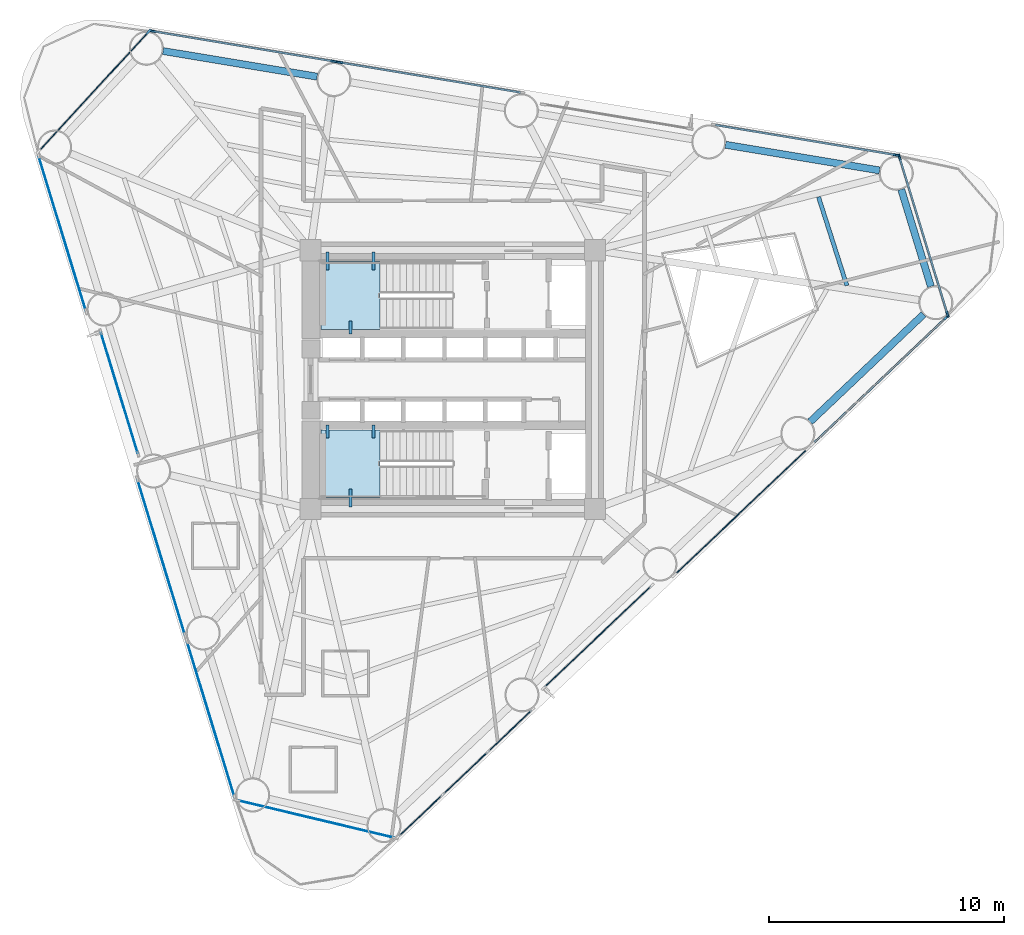
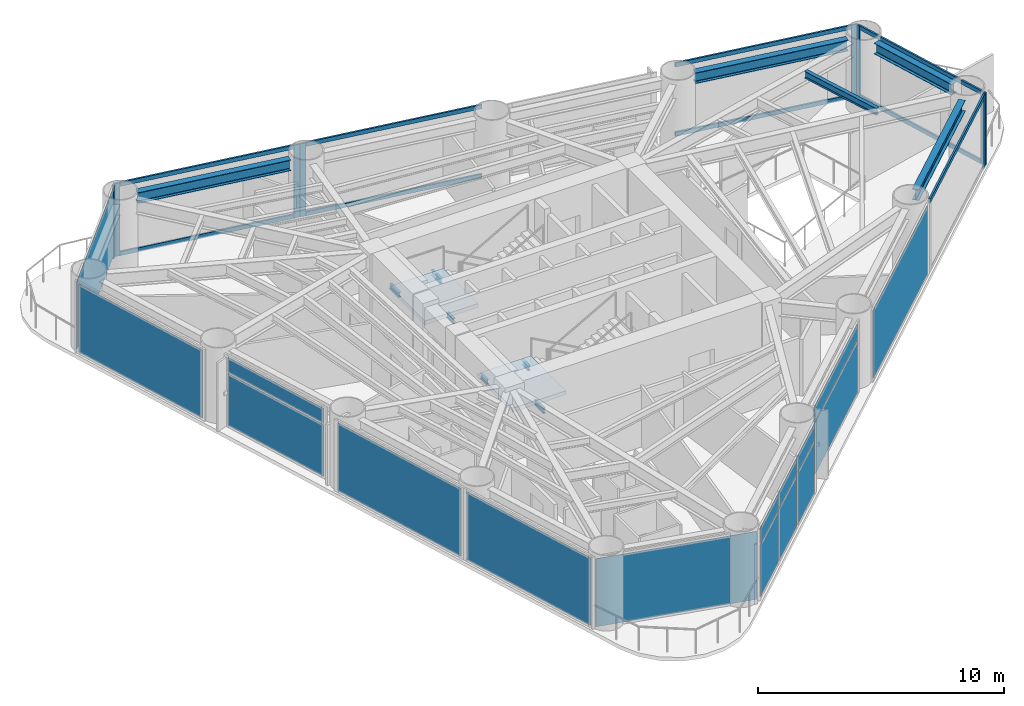
# One storey, part 4 of 10: 17 members, 16 plates, 11 beams, 2 slabs, 16 elements without a shape of their own.
"""IFC4 building model written with IfcOpenShell, lengths in metres."""

import ifcopenshell
import ifcopenshell.guid

model = None  # the IFC model being written
_history = None  # IfcOwnerHistory: only IFC2X3 demands one
_inside = {}  # id of a spatial element -> (the spatial element, [elements in it])
_under = {}  # id of a project, library or spatial element -> (it, [spatial elements below it])
_declared = {}  # id of a project -> (the project, [libraries it declares])
_typed = {}  # id of a type object -> (the type object, [elements of that type])
_made_of = {}  # id of a material, layer set ... -> (it, [elements and type objects made of it])


def new_model(schema):
    """Start an empty IFC model of exactly this schema.

    Asked for "IFC4X3", IfcOpenShell would pick the latest addendum, in which some entities
    have other attributes; the version numbers below select the first issue.
    IFC2X3 requires an IfcOwnerHistory on every rooted entity: one is made here for all.
    """
    global model, _history
    if schema == "IFC4X3":
        model = ifcopenshell.file(schema_version=(4, 3, 0, 0))
    else:
        model = ifcopenshell.file(schema=schema)
    _inside.clear()
    _under.clear()
    _declared.clear()
    _typed.clear()
    _made_of.clear()
    _history = None
    if model.schema == "IFC2X3":
        org = make("IfcOrganization", Name="unknown")
        user = make(
            "IfcPersonAndOrganization",
            ThePerson=make("IfcPerson", FamilyName="unknown"),
            TheOrganization=org,
        )
        app = make(
            "IfcApplication",
            ApplicationDeveloper=org,
            Version="unknown",
            ApplicationFullName="unknown",
            ApplicationIdentifier="unknown",
        )
        _history = make(
            "IfcOwnerHistory",
            OwningUser=user,
            OwningApplication=app,
            ChangeAction="ADDED",
            CreationDate=0,
        )
    return model


def make(cls, **values):
    """One entity of the class cls with the attributes given. An attribute that is None is left unset."""
    return model.create_entity(
        cls, **{name: value for name, value in values.items() if value is not None}
    )


def rooted(cls, **values):
    """An entity with a GlobalId (a new one), such as an element, a storey or a relation."""
    return make(cls, GlobalId=ifcopenshell.guid.new(), OwnerHistory=_history, **values)


def si_unit(unit_type, name, prefix=None):
    """IfcSIUnit, for example si_unit("LENGTHUNIT", "METRE", prefix="MILLI")."""
    return make("IfcSIUnit", UnitType=unit_type, Prefix=prefix, Name=name)


def assignment(units):
    """IfcUnitAssignment: the units of a project."""
    return None if units is None else make("IfcUnitAssignment", Units=units)


def point(xyz):
    """IfcCartesianPoint."""
    return None if xyz is None else make("IfcCartesianPoint", Coordinates=xyz)


def direction(xyz):
    """IfcDirection."""
    return None if xyz is None else make("IfcDirection", DirectionRatios=xyz)


def frame(location, z_axis=None, x_axis=None):
    """IfcAxis2Placement3D, a coordinate frame: its origin and axes. An axis left out is left unset."""
    return make(
        "IfcAxis2Placement3D",
        Location=point(location),
        Axis=direction(z_axis),
        RefDirection=direction(x_axis),
    )


def frame_2d(location, x_axis=None):
    """IfcAxis2Placement2D, a coordinate frame in the plane: its origin and x axis."""
    return make(
        "IfcAxis2Placement2D", Location=point(location), RefDirection=direction(x_axis)
    )


def origin():
    """The frame at (0, 0, 0) with its axes left unset."""
    return frame((0.0, 0.0, 0.0))


def origin_2d():
    """The frame at (0, 0) in the plane with its x axis left unset."""
    return frame_2d((0.0, 0.0))


def place(relative_to, where):
    """IfcLocalPlacement: puts the frame where relative to a parent placement (None: the world)."""
    return make(
        "IfcLocalPlacement", PlacementRelTo=relative_to, RelativePlacement=where
    )


def context(
    kind, dimensions, precision=None, world=None, true_north=None, identifier=None
):
    """IfcGeometricRepresentationContext, for example the 3D "Model" context."""
    return make(
        "IfcGeometricRepresentationContext",
        ContextIdentifier=identifier,
        ContextType=kind,
        CoordinateSpaceDimension=dimensions,
        Precision=precision,
        WorldCoordinateSystem=world,
        TrueNorth=true_north,
    )


def subcontext(parent, identifier, kind, view, scale=None):
    """IfcGeometricRepresentationSubContext, for example "Body" below "Model"."""
    return make(
        "IfcGeometricRepresentationSubContext",
        ContextIdentifier=identifier,
        ContextType=kind,
        ParentContext=parent,
        TargetScale=scale,
        TargetView=view,
    )


def project(units=None, contexts=None):
    """IfcProject with its units and contexts."""
    return rooted(
        "IfcProject",
        Name="project",
        RepresentationContexts=contexts,
        UnitsInContext=assignment(units),
    )


def spatial(cls, under=None, at=None, **own):
    """A site, building, storey or space (cls), placed at a placement, below another one or the project."""
    s = rooted(cls, ObjectPlacement=at, **own)
    if under is not None:
        _under.setdefault(under.id(), (under, []))[1].append(s)
    return s


def polyline(points):
    """IfcPolyline through the points."""
    return make("IfcPolyline", Points=[point(p) for p in points])


def profile(cls, at=None, kind="AREA", **sizes):
    """A parametric profile (cls). Its sizes go by their IFC names, for example OverallWidth=200.0."""
    return make(cls, ProfileType=kind, Position=at, **sizes)


def rectangle(**sizes):
    """IfcRectangleProfileDef."""
    return profile("IfcRectangleProfileDef", **sizes)


def i_section(**sizes):
    """IfcIShapeProfileDef."""
    return profile("IfcIShapeProfileDef", **sizes)


def outline(outer, holes=None, kind="AREA"):
    """IfcArbitraryClosedProfileDef: a profile drawn as a closed curve; with holes, ...WithVoids."""
    if holes is None:
        return make("IfcArbitraryClosedProfileDef", ProfileType=kind, OuterCurve=outer)
    return make(
        "IfcArbitraryProfileDefWithVoids",
        ProfileType=kind,
        OuterCurve=outer,
        InnerCurves=holes,
    )


def extrude(swept, where, along, depth):
    """IfcExtrudedAreaSolid: the profile swept, set in the frame where, extruded along a direction by depth."""
    return make(
        "IfcExtrudedAreaSolid",
        SweptArea=swept,
        Position=where,
        ExtrudedDirection=direction(along),
        Depth=depth,
    )


def shape(context_of_items, identifier, shape_type, items):
    """IfcShapeRepresentation: the items that make up one representation, for example the "Body"."""
    return make(
        "IfcShapeRepresentation",
        ContextOfItems=context_of_items,
        RepresentationIdentifier=identifier,
        RepresentationType=shape_type,
        Items=items,
    )


def source(mapping_origin, context_of_items, identifier, shape_type, items):
    """IfcRepresentationMap: a shape defined once, which mapped items show again and again."""
    return make(
        "IfcRepresentationMap",
        MappingOrigin=mapping_origin,
        MappedRepresentation=shape(context_of_items, identifier, shape_type, items),
    )


def transform(
    local_origin,
    x_axis=None,
    y_axis=None,
    z_axis=None,
    scale=None,
    scale2=None,
    scale3=None,
    uniform=True,
):
    """IfcCartesianTransformationOperator3D, or its non-uniform kind. x_axis, y_axis, z_axis: its Axis1, 2, 3."""
    if uniform:
        return make(
            "IfcCartesianTransformationOperator3D",
            Axis1=direction(x_axis),
            Axis2=direction(y_axis),
            LocalOrigin=point(local_origin),
            Scale=scale,
            Axis3=direction(z_axis),
        )
    return make(
        "IfcCartesianTransformationOperator3DnonUniform",
        Axis1=direction(x_axis),
        Axis2=direction(y_axis),
        LocalOrigin=point(local_origin),
        Scale=scale,
        Axis3=direction(z_axis),
        Scale2=scale2,
        Scale3=scale3,
    )


def mapped(mapping_source, mapping_target):
    """IfcMappedItem: shows the shape of a source again, moved by a transform."""
    return make(
        "IfcMappedItem", MappingSource=mapping_source, MappingTarget=mapping_target
    )


def material(Name=None, Category=None):
    """IfcMaterial."""
    return make("IfcMaterial", Name=Name, Category=Category)


def layer(
    of_material, thickness, ventilated=None, Name=None, Category=None, Priority=None
):
    """IfcMaterialLayer: one layer of a wall or slab, of a material (None: an air gap)."""
    return make(
        "IfcMaterialLayer",
        Material=of_material,
        LayerThickness=thickness,
        IsVentilated=ventilated,
        Name=Name,
        Category=Category,
        Priority=Priority,
    )


def layer_set(layers, Name=None):
    """IfcMaterialLayerSet."""
    return make("IfcMaterialLayerSet", MaterialLayers=layers, LayerSetName=Name)


def material_profile(
    of_material, cross_section, Name=None, Category=None, Priority=None
):
    """IfcMaterialProfile: a cross section and its material."""
    return make(
        "IfcMaterialProfile",
        Name=Name,
        Material=of_material,
        Profile=cross_section,
        Priority=Priority,
        Category=Category,
    )


def profile_set(profiles, Name=None, composite=None):
    """IfcMaterialProfileSet."""
    return make(
        "IfcMaterialProfileSet",
        Name=Name,
        MaterialProfiles=profiles,
        CompositeProfile=composite,
    )


def made_of(thing, what):
    """Note that an element or type object is made of a material, layer set ...; save() writes the relation."""
    if what is not None:
        _made_of.setdefault(what.id(), (what, []))[1].append(thing)
    return thing


def type_object(cls, material=None, **own):
    """A type object (cls), such as IfcWallType, which elements share."""
    return made_of(rooted(cls, **own), material)


def element(
    cls,
    number,
    at=None,
    inside=None,
    cuts=None,
    type_object=None,
    material=None,
    context=None,
    identifier="Body",
    shape_type=None,
    held_by="IfcProductDefinitionShape",
    body=None,
    shapes=None,
    **own,
):
    """One element of the class cls, such as IfcWall. Its Tag is "e" and its number.

    at: its placement. inside: the storey or other place that contains it. cuts: it is an
    opening in that element (IfcRelVoidsElement). A single representation is given by context,
    identifier, shape_type and body (its items); several are given by shapes. held_by: the class
    of the entity that holds the representations. save() writes the other relations.
    """
    e = rooted(cls, Tag="e%d" % number, ObjectPlacement=at, **own)
    if body is not None:
        shapes = [shape(context, identifier, shape_type, body)]
    if shapes is not None:
        e.Representation = make(held_by, Representations=shapes)
    if inside is not None:
        _inside.setdefault(inside.id(), (inside, []))[1].append(e)
    if cuts is not None:
        rooted(
            "IfcRelVoidsElement", RelatingBuildingElement=cuts, RelatedOpeningElement=e
        )
    if type_object is not None:
        _typed.setdefault(type_object.id(), (type_object, []))[1].append(e)
    return made_of(e, material)


def aggregate(whole, parts):
    """IfcRelAggregates: a whole, such as a stair, and the parts it consists of."""
    return rooted("IfcRelAggregates", RelatingObject=whole, RelatedObjects=parts)


def save(model, path):
    """Write the relations noted so far, then the file.

    IfcRelAggregates (storeys below a building ...), IfcRelContainedInSpatialStructure (elements
    in a storey), IfcRelDefinesByType, IfcRelAssociatesMaterial and IfcRelDeclares: one each for
    every whole, place, type object, material and project.
    """
    for whole, parts in _under.values():
        aggregate(whole, parts)
    for where, things in _inside.values():
        rooted(
            "IfcRelContainedInSpatialStructure",
            RelatedElements=things,
            RelatingStructure=where,
        )
    for kind, things in _typed.values():
        rooted("IfcRelDefinesByType", RelatedObjects=things, RelatingType=kind)
    for what, things in _made_of.values():
        rooted("IfcRelAssociatesMaterial", RelatedObjects=things, RelatingMaterial=what)
    for by, libraries in _declared.values():
        rooted("IfcRelDeclares", RelatingContext=by, RelatedDefinitions=libraries)
    model.write(path)


model = new_model("IFC4")

# Units and contexts
model_context = context("Model", 3, precision=1e-05, world=origin(), true_north=direction((0.0, 1.0)))
body_context = subcontext(model_context, "Body", "Model", "MODEL_VIEW")
ifc_project = project(units=[si_unit("LENGTHUNIT", "METRE"), si_unit("AREAUNIT", "SQUARE_METRE"), si_unit("VOLUMEUNIT", "CUBIC_METRE"), si_unit("PLANEANGLEUNIT", "RADIAN"), si_unit("MASSUNIT", "GRAM", prefix="KILO")], contexts=[model_context])

# Site, building, storey
site_placement = place(None, origin())
site = spatial("IfcSite", under=ifc_project, at=site_placement, CompositionType="ELEMENT")
building_placement = place(site_placement, origin())
building = spatial("IfcBuilding", under=site, at=building_placement, Name="Yunling Apex Tower", CompositionType="ELEMENT")
storey_placement = place(building_placement, frame((0.0, 0.0, 116.14990234375)))
storey = spatial("IfcBuildingStorey", under=building, at=storey_placement, Name="L29", CompositionType="ELEMENT", Elevation=116.14990234375)

# Beams
ifc_material_1 = material(Name="Steel Q355B", Category="steel")
ifc_material_profile_1 = material_profile(ifc_material_1, i_section(OverallWidth=0.125, OverallDepth=0.25, WebThickness=0.006103515625, FlangeThickness=0.009033203125, FilletRadius=0.011962890625, at=origin_2d()))
ifc_profile_set_1 = profile_set([ifc_material_profile_1], Name="Steel Q355B")
beam_type_1 = type_object("IfcBeamType", Name="BL-LNT-1", PredefinedType="LINTEL", material=ifc_profile_set_1)
shared_shape_1 = source(origin(), body_context, "Body", "SweptSolid", [
    extrude(i_section(OverallWidth=0.125, OverallDepth=0.25, WebThickness=0.006103515625, FlangeThickness=0.009033203125, FilletRadius=0.011962890625, at=origin_2d()), origin(), (0.0, 0.0, 1.0), 0.760009765625),
])
for number, where, z_axis, x_axis, name in (
    (1, (-5.320068359375, 5.419921875, 1.55517578125), (0.0, -1.0, 0.0), (1.0, 0.0, 0.0), "L29 ST-1 Landing Bearing Corbel 1-1"),
    (2, (-3.3701171875, 5.419921875, 1.55517578125), (0.0, -1.0, 0.0), (1.0, 0.0, 0.0), "L29 ST-1 Landing Bearing Corbel 1-2"),
    (3, (-4.344970703125, -5.419921875, 1.55517578125), (0.0, 1.0, 0.0), (-1.0, 0.0, 0.0), "L29 ST-2 Landing Bearing Corbel 1-3"),
):
    element("IfcBeam", number, at=place(storey_placement, frame(where, z_axis=z_axis, x_axis=x_axis)), inside=storey, type_object=beam_type_1, Name=name, PredefinedType="LINTEL", context=body_context, shape_type="MappedRepresentation", body=[
        mapped(shared_shape_1, transform((0.0, 0.0, 0.0), scale=1.0)),
    ])
shared_shape_2 = source(origin(), body_context, "Body", "SweptSolid", [
    extrude(i_section(OverallWidth=0.125, OverallDepth=0.25, WebThickness=0.006103515625, FlangeThickness=0.009033203125, FilletRadius=0.011962890625, at=origin_2d()), origin(), (0.0, 0.0, 1.0), 0.550048828125),
])
for number, where, z_axis, x_axis, name in (
    (4, (-4.344970703125, 1.93994140625, 1.55517578125), (0.0, 1.0, 0.0), (-1.0, 0.0, 0.0), "L29 ST-1 Landing Bearing Corbel 1-3"),
    (5, (-5.320068359375, -1.93994140625, 1.55517578125), (0.0, -1.0, 0.0), (1.0, 0.0, 0.0), "L29 ST-2 Landing Bearing Corbel 1-1"),
    (6, (-3.3701171875, -1.93994140625, 1.55517578125), (0.0, -1.0, 0.0), (1.0, 0.0, 0.0), "L29 ST-2 Landing Bearing Corbel 1-2"),
):
    element("IfcBeam", number, at=place(storey_placement, frame(where, z_axis=z_axis, x_axis=x_axis)), inside=storey, type_object=beam_type_1, Name=name, PredefinedType="LINTEL", context=body_context, shape_type="MappedRepresentation", body=[
        mapped(shared_shape_2, transform((0.0, 0.0, 0.0), scale=1.0)),
    ])
ifc_material_profile_2 = material_profile(ifc_material_1, i_section(OverallWidth=0.300048828125, OverallDepth=0.5400390625, WebThickness=0.011962890625, FlangeThickness=0.02001953125, FilletRadius=0.02392578125, at=origin_2d()))
ifc_profile_set_2 = profile_set([ifc_material_profile_2], Name="Steel Q355B")
beam_type_2 = type_object("IfcBeamType", Name="BP-SPN-1", PredefinedType="SPANDREL", material=ifc_profile_set_2)
shared_shape_3 = source(origin(), body_context, "Body", "SweptSolid", [
    extrude(i_section(OverallWidth=0.300048828125, OverallDepth=0.5400390625, WebThickness=0.011962890625, FlangeThickness=0.02001953125, FilletRadius=0.02392578125, at=origin_2d()), origin(), (0.0, 0.0, 1.0), 6.6416015625),
])
beam_1_placement = place(storey_placement, frame((15.194580078125, -1.79248046875, 3.260009765625), z_axis=(0.725873473547, 0.687828249203, 0.0), x_axis=(-0.687828249203, 0.725873473547, 0.0)))
element("IfcBeam", 7, at=beam_1_placement, inside=storey, type_object=beam_type_2, Name="L29 Perimeter Spandrel Beam 4", PredefinedType="SPANDREL", context=body_context, shape_type="MappedRepresentation", body=[
    mapped(shared_shape_3, transform((0.0, 0.0, 0.0), scale=1.0)),
])
shared_shape_4 = source(origin(), body_context, "Body", "SweptSolid", [
    extrude(i_section(OverallWidth=0.300048828125, OverallDepth=0.5400390625, WebThickness=0.011962890625, FlangeThickness=0.02001953125, FilletRadius=0.02392578125, at=origin_2d()), origin(), (0.0, 0.0, 1.0), 4.316162109375),
])
beam_2_placement = place(storey_placement, frame((20.327392578125, 3.9580078125, 3.260009765625), z_axis=(-0.29238810835, 0.956299740717, 0.0), x_axis=(-0.956299740717, -0.29238810835, 0.0)))
element("IfcBeam", 8, at=beam_2_placement, inside=storey, type_object=beam_type_2, Name="L29 Perimeter Spandrel Beam 5", PredefinedType="SPANDREL", context=body_context, shape_type="MappedRepresentation", body=[
    mapped(shared_shape_4, transform((0.0, 0.0, 0.0), scale=1.0)),
])
shared_shape_5 = source(origin(), body_context, "Body", "SweptSolid", [
    extrude(i_section(OverallWidth=0.300048828125, OverallDepth=0.5400390625, WebThickness=0.011962890625, FlangeThickness=0.02001953125, FilletRadius=0.02392578125, at=origin_2d()), origin(), (0.0, 0.0, 1.0), 6.641845703125),
])
for number, where, z_axis, x_axis, name in (
    (9, (18.14599609375, 8.89111328125, 3.260009765625), (-0.986396904036, 0.164381105081, 0.0), (-0.164381105081, -0.986396904036, 0.0), "L29 Perimeter Spandrel Beam 6"),
    (10, (-5.763671875, 12.875244140625, 3.260009765625), (-0.986402863526, 0.164345340146, 0.0), (-0.164345340146, -0.986402863526, 0.0), "L29 Perimeter Spandrel Beam 9"),
):
    element("IfcBeam", number, at=place(storey_placement, frame(where, z_axis=z_axis, x_axis=x_axis)), inside=storey, type_object=beam_type_2, Name=name, PredefinedType="SPANDREL", context=body_context, shape_type="MappedRepresentation", body=[
        mapped(shared_shape_5, transform((0.0, 0.0, 0.0), scale=1.0)),
    ])
ifc_material_profile_3 = material_profile(ifc_material_1, i_section(OverallWidth=0.175048828125, OverallDepth=0.35009765625, WebThickness=0.007080078125, FlangeThickness=0.010986328125, FilletRadius=0.013916015625, at=origin_2d()))
ifc_profile_set_3 = profile_set([ifc_material_profile_3], Name="Steel Q355B")
beam_type_3 = type_object("IfcBeamType", Name="BJ-JST-1", PredefinedType="JOIST", material=ifc_profile_set_3)
shared_shape_6 = source(origin(), body_context, "Body", "SweptSolid", [
    extrude(i_section(OverallWidth=0.175048828125, OverallDepth=0.35009765625, WebThickness=0.007080078125, FlangeThickness=0.010986328125, FilletRadius=0.013916015625, at=origin_2d()), origin(), (0.0, 0.0, 1.0), 3.953125),
])
beam_3_placement = place(storey_placement, frame((16.75390625, 3.997802734375, 3.35498046875), z_axis=(-0.304587491054, 0.95248436223, 0.0), x_axis=(-0.95248436223, -0.304587491054, 0.0)))
element("IfcBeam", 11, at=beam_3_placement, inside=storey, type_object=beam_type_3, Name="L29 Composite Floor Joist BJ1-5", PredefinedType="JOIST", context=body_context, shape_type="MappedRepresentation", body=[
    mapped(shared_shape_6, transform((0.0, 0.0, 0.0), scale=1.0)),
])

# Curtain wall, member
ifc_material_2 = material(Name="Bronze anodised aluminium", Category="aluminium")
ifc_layer_1 = layer(ifc_material_2, 0.260009765625)
ifc_layer_set_1 = layer_set([ifc_layer_1], Name="Bronze anodised aluminium")
curtain_wall_type = type_object("IfcCurtainWallType", Name="CW-SYS-2", PredefinedType="NOTDEFINED", material=ifc_layer_set_1)
curtain_wall_1_placement = place(storey_placement, origin())
curtain_wall_1 = element("IfcCurtainWall", 12, at=curtain_wall_1_placement, inside=storey, type_object=curtain_wall_type, Name="CW-L29-F1-B4", PredefinedType="NOTDEFINED")
ifc_material_profile_4 = material_profile(ifc_material_2, rectangle(XDim=0.0849609375, YDim=0.260009765625, at=origin_2d()))
ifc_profile_set_4 = profile_set([ifc_material_profile_4], Name="Bronze anodised aluminium")
member_type_1 = type_object("IfcMemberType", Name="CW-MUL-2", PredefinedType="MULLION", material=ifc_profile_set_4)
shared_shape_7 = source(origin(), body_context, "Body", "SweptSolid", [
    extrude(rectangle(XDim=0.0849609375, YDim=0.260009765625, at=origin_2d()), origin(), (0.0, 0.0, 1.0), 3.6298828125),
])
member_1_placement = place(storey_placement, frame((20.971435546875, 2.634765625, -0.0498046875), z_axis=(0.0, 0.0, 1.0), x_axis=(-0.687861264918, 0.72584218686, 0.0)))
member_1 = element("IfcMember", 13, at=member_1_placement, type_object=member_type_1, Name="CW-SYS-2 mullion 2", PredefinedType="MULLION", context=body_context, shape_type="MappedRepresentation", body=[
    mapped(shared_shape_7, transform((0.0, 0.0, 0.0), scale=1.0)),
])

# Curtain wall, members
curtain_wall_2_placement = place(storey_placement, origin())
curtain_wall_2 = element("IfcCurtainWall", 14, at=curtain_wall_2_placement, inside=storey, type_object=curtain_wall_type, Name="CW-L29-CRN1", PredefinedType="NOTDEFINED")
member_2_placement = place(storey_placement, frame((21.0341796875, 2.77392578125, -0.0498046875), z_axis=(0.0, 0.0, 1.0), x_axis=(-0.95630374567, -0.292375009223, 0.0)))
member_2 = element("IfcMember", 15, at=member_2_placement, type_object=member_type_1, Name="CW-SYS-2 mullion 1", PredefinedType="MULLION", context=body_context, shape_type="MappedRepresentation", body=[
    mapped(shared_shape_7, transform((0.0, 0.0, 0.0), scale=1.0)),
])
member_3_placement = place(storey_placement, frame((18.9892578125, 9.46240234375, -0.0498046875), z_axis=(0.0, 0.0, 1.0), x_axis=(-0.95630374567, -0.292375009223, 0.0)))
member_3 = element("IfcMember", 16, at=member_3_placement, type_object=member_type_1, Name="CW-SYS-2 mullion 2", PredefinedType="MULLION", context=body_context, shape_type="MappedRepresentation", body=[
    mapped(shared_shape_7, transform((0.0, 0.0, 0.0), scale=1.0)),
])

# Curtain wall, member
curtain_wall_3_placement = place(storey_placement, origin())
curtain_wall_3 = element("IfcCurtainWall", 17, at=curtain_wall_3_placement, inside=storey, type_object=curtain_wall_type, Name="CW-L29-F2-B1", PredefinedType="NOTDEFINED")
member_4_placement = place(storey_placement, frame((18.859375, 9.54296875, -0.0498046875), z_axis=(0.0, 0.0, 1.0), x_axis=(-0.16436008369, -0.98640040698, 0.0)))
member_4 = element("IfcMember", 18, at=member_4_placement, type_object=member_type_1, Name="CW-SYS-2 mullion 1", PredefinedType="MULLION", context=body_context, shape_type="MappedRepresentation", body=[
    mapped(shared_shape_7, transform((0.0, 0.0, 0.0), scale=1.0)),
])

curtain_wall_4_placement = place(storey_placement, origin())
curtain_wall_4 = element("IfcCurtainWall", 19, at=curtain_wall_4_placement, inside=storey, type_object=curtain_wall_type, Name="CW-L29-F2-B3", PredefinedType="NOTDEFINED")
member_5_placement = place(storey_placement, frame((-4.80859375, 13.486572265625, -0.0498046875), z_axis=(0.0, 0.0, 1.0), x_axis=(-0.164362130784, -0.986400065878, 0.0)))
member_5 = element("IfcMember", 20, at=member_5_placement, type_object=member_type_1, Name="CW-SYS-2 mullion 2", PredefinedType="MULLION", context=body_context, shape_type="MappedRepresentation", body=[
    mapped(shared_shape_7, transform((0.0, 0.0, 0.0), scale=1.0)),
])

# Curtain wall, members
curtain_wall_5_placement = place(storey_placement, origin())
curtain_wall_5 = element("IfcCurtainWall", 21, at=curtain_wall_5_placement, inside=storey, type_object=curtain_wall_type, Name="CW-L29-F2-B4", PredefinedType="NOTDEFINED")
member_6_placement = place(storey_placement, frame((-5.05029296875, 13.52685546875, -0.0498046875), z_axis=(0.0, 0.0, 1.0), x_axis=(-0.16436008369, -0.98640040698, 0.0)))
member_6 = element("IfcMember", 22, at=member_6_placement, type_object=member_type_1, Name="CW-SYS-2 mullion 1", PredefinedType="MULLION", context=body_context, shape_type="MappedRepresentation", body=[
    mapped(shared_shape_7, transform((0.0, 0.0, 0.0), scale=1.0)),
])
member_7_placement = place(storey_placement, frame((-12.778564453125, 14.814697265625, -0.0498046875), z_axis=(0.0, 0.0, 1.0), x_axis=(-0.16436008369, -0.98640040698, 0.0)))
member_7 = element("IfcMember", 23, at=member_7_placement, type_object=member_type_1, Name="CW-SYS-2 mullion 2", PredefinedType="MULLION", context=body_context, shape_type="MappedRepresentation", body=[
    mapped(shared_shape_7, transform((0.0, 0.0, 0.0), scale=1.0)),
])

# Curtain wall, member
curtain_wall_6_placement = place(storey_placement, origin())
curtain_wall_6 = element("IfcCurtainWall", 24, at=curtain_wall_6_placement, inside=storey, type_object=curtain_wall_type, Name="CW-L29-CRN2", PredefinedType="NOTDEFINED")
member_8_placement = place(storey_placement, frame((-12.931396484375, 14.78369140625, -0.0498046875), z_axis=(0.0, 0.0, 1.0), x_axis=(0.736184624933, -0.676780760669, 0.0)))
member_8 = element("IfcMember", 25, at=member_8_placement, type_object=member_type_1, Name="CW-SYS-2 mullion 1", PredefinedType="MULLION", context=body_context, shape_type="MappedRepresentation", body=[
    mapped(shared_shape_7, transform((0.0, 0.0, 0.0), scale=1.0)),
])

# Member
ifc_material_profile_5 = material_profile(ifc_material_2, rectangle(XDim=0.0849609375, YDim=0.199951171875, at=origin_2d()))
ifc_profile_set_5 = profile_set([ifc_material_profile_5], Name="Bronze anodised aluminium")
member_type_2 = type_object("IfcMemberType", Name="CW-TRN-2", PredefinedType="USERDEFINED", material=ifc_profile_set_5)
shared_shape_8 = source(origin(), body_context, "Body", "SweptSolid", [
    extrude(rectangle(XDim=0.0849609375, YDim=0.199951171875, at=origin_2d()), origin(), (0.0, 0.0, 1.0), 7.75830078125),
])
member_9_placement = place(storey_placement, frame((15.312255859375, -2.728271484375, 3.487548828125), z_axis=(0.725842697135, 0.687860726467, 0.0), x_axis=(-0.687860726467, 0.725842697135, 0.0)))
member_9 = element("IfcMember", 26, at=member_9_placement, type_object=member_type_2, Name="CW-SYS-2 transom 1.2", ObjectType="TRANSOM", PredefinedType="USERDEFINED", context=body_context, shape_type="MappedRepresentation", body=[
    mapped(shared_shape_8, transform((0.0, 0.0, 0.0), scale=1.0)),
])

aggregate(curtain_wall_1, [member_1, member_9])

member_10_placement = place(storey_placement, frame((18.821533203125, 9.549072265625, 0.04248046875), z_axis=(-0.986400726912, 0.164358163615, 0.0), x_axis=(-0.164358163615, -0.986400726912, 0.0)))
member_10 = element("IfcMember", 27, at=member_10_placement, type_object=member_type_2, Name="CW-SYS-2 transom 1.1", ObjectType="TRANSOM", PredefinedType="USERDEFINED", context=body_context, shape_type="MappedRepresentation", body=[
    mapped(shared_shape_8, transform((0.0, 0.0, 0.0), scale=1.0)),
])

member_11_placement = place(storey_placement, frame((18.821533203125, 9.549072265625, 3.487548828125), z_axis=(-0.986400726912, 0.164358163615, 0.0), x_axis=(-0.164358163615, -0.986400726912, 0.0)))
member_11 = element("IfcMember", 28, at=member_11_placement, type_object=member_type_2, Name="CW-SYS-2 transom 1.2", ObjectType="TRANSOM", PredefinedType="USERDEFINED", context=body_context, shape_type="MappedRepresentation", body=[
    mapped(shared_shape_8, transform((0.0, 0.0, 0.0), scale=1.0)),
])

aggregate(curtain_wall_3, [member_4, member_10, member_11])

member_12_placement = place(storey_placement, frame((2.8818359375, 12.205078125, 0.04248046875), z_axis=(-0.986400726912, 0.164358163615, 0.0), x_axis=(-0.164358163615, -0.986400726912, 0.0)))
member_12 = element("IfcMember", 29, at=member_12_placement, type_object=member_type_2, Name="CW-SYS-2 transom 1.1", ObjectType="TRANSOM", PredefinedType="USERDEFINED", context=body_context, shape_type="MappedRepresentation", body=[
    mapped(shared_shape_8, transform((0.0, 0.0, 0.0), scale=1.0)),
])

member_13_placement = place(storey_placement, frame((2.8818359375, 12.205078125, 3.487548828125), z_axis=(-0.986400726912, 0.164358163615, 0.0), x_axis=(-0.164358163615, -0.986400726912, 0.0)))
member_13 = element("IfcMember", 30, at=member_13_placement, type_object=member_type_2, Name="CW-SYS-2 transom 1.2", ObjectType="TRANSOM", PredefinedType="USERDEFINED", context=body_context, shape_type="MappedRepresentation", body=[
    mapped(shared_shape_8, transform((0.0, 0.0, 0.0), scale=1.0)),
])

aggregate(curtain_wall_4, [member_5, member_12, member_13])

member_14_placement = place(storey_placement, frame((-5.088134765625, 13.533203125, 0.04248046875), z_axis=(-0.986400726912, 0.164358163615, 0.0), x_axis=(-0.164358163615, -0.986400726912, 0.0)))
member_14 = element("IfcMember", 31, at=member_14_placement, type_object=member_type_2, Name="CW-SYS-2 transom 1.1", ObjectType="TRANSOM", PredefinedType="USERDEFINED", context=body_context, shape_type="MappedRepresentation", body=[
    mapped(shared_shape_8, transform((0.0, 0.0, 0.0), scale=1.0)),
])

member_15_placement = place(storey_placement, frame((-5.088134765625, 13.533203125, 3.487548828125), z_axis=(-0.986400726912, 0.164358163615, 0.0), x_axis=(-0.164358163615, -0.986400726912, 0.0)))
member_15 = element("IfcMember", 32, at=member_15_placement, type_object=member_type_2, Name="CW-SYS-2 transom 1.2", ObjectType="TRANSOM", PredefinedType="USERDEFINED", context=body_context, shape_type="MappedRepresentation", body=[
    mapped(shared_shape_8, transform((0.0, 0.0, 0.0), scale=1.0)),
])

aggregate(curtain_wall_5, [member_6, member_7, member_14, member_15])

shared_shape_9 = source(origin(), body_context, "Body", "SweptSolid", [
    extrude(rectangle(XDim=0.0849609375, YDim=0.199951171875, at=origin_2d()), origin(), (0.0, 0.0, 1.0), 6.91748046875),
])
member_16_placement = place(storey_placement, frame((21.02294921875, 2.810546875, 0.04248046875), z_axis=(-0.292369169584, 0.956305531029, 0.0), x_axis=(-0.956305531029, -0.292369169584, 0.0)))
member_16 = element("IfcMember", 33, at=member_16_placement, type_object=member_type_2, Name="CW-SYS-2 transom 1.1", ObjectType="TRANSOM", PredefinedType="USERDEFINED", context=body_context, shape_type="MappedRepresentation", body=[
    mapped(shared_shape_9, transform((0.0, 0.0, 0.0), scale=1.0)),
])

member_17_placement = place(storey_placement, frame((21.02294921875, 2.810546875, 3.487548828125), z_axis=(-0.292369169584, 0.956305531029, 0.0), x_axis=(-0.956305531029, -0.292369169584, 0.0)))
member_17 = element("IfcMember", 34, at=member_17_placement, type_object=member_type_2, Name="CW-SYS-2 transom 1.2", ObjectType="TRANSOM", PredefinedType="USERDEFINED", context=body_context, shape_type="MappedRepresentation", body=[
    mapped(shared_shape_9, transform((0.0, 0.0, 0.0), scale=1.0)),
])

aggregate(curtain_wall_2, [member_2, member_3, member_16, member_17])

# Stair, slab
ifc_material_3 = material(Name="Concrete C40", Category="concrete")
stair_type = type_object("IfcStairType", Name="ST-TWR-1", PredefinedType="HALF_TURN_STAIR", material=ifc_material_3)
stair_1_placement = place(storey_placement, origin())
stair_1 = element("IfcStair", 35, at=stair_1_placement, inside=storey, type_object=stair_type, Name="L29 North Core Smokeproof Exit Stair ST-1", PredefinedType="HALF_TURN_STAIR")
ifc_layer_2 = layer(ifc_material_3, 0.195068359375)
ifc_layer_set_2 = layer_set([ifc_layer_2], Name="Concrete C40")
slab_type = type_object("IfcSlabType", Name="SL-LND-1", PredefinedType="LANDING", material=ifc_layer_set_2)
slab_1_placement = place(storey_placement, frame((0.0, 0.0, 1.68017578125)))
slab_1 = element("IfcSlab", 36, at=slab_1_placement, type_object=slab_type, Name="ST-1 landing 1", PredefinedType="LANDING", context=body_context, shape_type="SweptSolid", body=[
    extrude(outline(polyline([(-3.090087890625, 5.010009765625), (-5.60009765625, 5.010009765625), (-5.60009765625, 2.139892578125), (-3.090087890625, 2.139892578125), (-3.090087890625, 5.010009765625)])), origin(), (0.0, 0.0, 1.0), 0.19482421875),
])
aggregate(stair_1, [slab_1])

stair_2_placement = place(storey_placement, origin())
stair_2 = element("IfcStair", 37, at=stair_2_placement, inside=storey, type_object=stair_type, Name="L29 South Core Smokeproof Exit Stair ST-2", PredefinedType="HALF_TURN_STAIR")
slab_2_placement = place(storey_placement, frame((0.0, 0.0, 1.68017578125)))
slab_2 = element("IfcSlab", 38, at=slab_2_placement, type_object=slab_type, Name="ST-2 landing 1", PredefinedType="LANDING", context=body_context, shape_type="SweptSolid", body=[
    extrude(outline(polyline([(-3.090087890625, -2.139892578125), (-5.60009765625, -2.139892578125), (-5.60009765625, -5.010009765625), (-3.090087890625, -5.010009765625), (-3.090087890625, -2.139892578125)])), origin(), (0.0, 0.0, 1.0), 0.19482421875),
])
aggregate(stair_2, [slab_2])

# Curtain wall, plates
curtain_wall_7_placement = place(storey_placement, origin())
curtain_wall_7 = element("IfcCurtainWall", 39, at=curtain_wall_7_placement, inside=storey, type_object=curtain_wall_type, Name="CW-L29-F1-B1", PredefinedType="NOTDEFINED")
ifc_material_4 = material(Name="Bronze tinted low-E glass", Category="glass")
ifc_layer_3 = layer(ifc_material_4, 0.033935546875)
ifc_layer_set_3 = layer_set([ifc_layer_3], Name="Bronze tinted low-E glass")
plate_type = type_object("IfcPlateType", Name="CW-PNL-2", PredefinedType="CURTAIN_PANEL", material=ifc_layer_set_3)
shared_shape_10 = source(origin(), body_context, "Body", "SweptSolid", [
    extrude(rectangle(XDim=2.52880859375, YDim=0.033935546875, at=origin_2d()), origin(), (0.0, 0.0, 1.0), 2.57177734375),
])
plate_1_placement = place(storey_placement, frame((-1.366943359375, -18.5341796875, 0.076904296875), z_axis=(0.0, 0.0, 1.0), x_axis=(0.72584218686, 0.687861264918, 0.0)))
plate_1 = element("IfcPlate", 40, at=plate_1_placement, type_object=plate_type, Name="CW-SYS-2 panel 1.1", PredefinedType="CURTAIN_PANEL", context=body_context, shape_type="MappedRepresentation", body=[
    mapped(shared_shape_10, transform((0.0, 0.0, 0.0), scale=1.0)),
])
plate_2_placement = place(storey_placement, frame((2.4345703125, -14.931640625, 0.076904296875), z_axis=(0.0, 0.0, 1.0), x_axis=(0.72584218686, 0.687861264918, 0.0)))
plate_2 = element("IfcPlate", 41, at=plate_2_placement, type_object=plate_type, Name="CW-SYS-2 panel 3.1", PredefinedType="CURTAIN_PANEL", context=body_context, shape_type="MappedRepresentation", body=[
    mapped(shared_shape_10, transform((0.0, 0.0, 0.0), scale=1.0)),
])
shared_shape_11 = source(origin(), body_context, "Body", "SweptSolid", [
    extrude(rectangle(XDim=2.52880859375, YDim=0.033935546875, at=origin_2d()), origin(), (0.0, 0.0, 1.0), 0.736083984375),
])
plate_3_placement = place(storey_placement, frame((-1.366943359375, -18.5341796875, 2.71728515625), z_axis=(0.0, 0.0, 1.0), x_axis=(0.72584218686, 0.687861264918, 0.0)))
plate_3 = element("IfcPlate", 42, at=plate_3_placement, type_object=plate_type, Name="CW-SYS-2 panel 1.2", PredefinedType="CURTAIN_PANEL", context=body_context, shape_type="MappedRepresentation", body=[
    mapped(shared_shape_11, transform((0.0, 0.0, 0.0), scale=1.0)),
])
plate_4_placement = place(storey_placement, frame((2.4345703125, -14.931640625, 2.71728515625), z_axis=(0.0, 0.0, 1.0), x_axis=(0.72584218686, 0.687861264918, 0.0)))
plate_4 = element("IfcPlate", 43, at=plate_4_placement, type_object=plate_type, Name="CW-SYS-2 panel 3.2", PredefinedType="CURTAIN_PANEL", context=body_context, shape_type="MappedRepresentation", body=[
    mapped(shared_shape_11, transform((0.0, 0.0, 0.0), scale=1.0)),
])
shared_shape_12 = source(origin(), body_context, "Body", "SweptSolid", [
    extrude(rectangle(XDim=2.571533203125, YDim=0.033935546875, at=origin_2d()), origin(), (0.0, 0.0, 1.0), 2.57177734375),
])
plate_5_placement = place(storey_placement, frame((0.53369140625, -16.73291015625, 0.076904296875), z_axis=(0.0, 0.0, 1.0), x_axis=(0.72584218686, 0.687861264918, 0.0)))
plate_5 = element("IfcPlate", 44, at=plate_5_placement, type_object=plate_type, Name="CW-SYS-2 panel 2.1", PredefinedType="CURTAIN_PANEL", context=body_context, shape_type="MappedRepresentation", body=[
    mapped(shared_shape_12, transform((0.0, 0.0, 0.0), scale=1.0)),
])
shared_shape_13 = source(origin(), body_context, "Body", "SweptSolid", [
    extrude(rectangle(XDim=2.571533203125, YDim=0.033935546875, at=origin_2d()), origin(), (0.0, 0.0, 1.0), 0.736083984375),
])
plate_6_placement = place(storey_placement, frame((0.53369140625, -16.73291015625, 2.71728515625), z_axis=(0.0, 0.0, 1.0), x_axis=(0.72584218686, 0.687861264918, 0.0)))
plate_6 = element("IfcPlate", 45, at=plate_6_placement, type_object=plate_type, Name="CW-SYS-2 panel 2.2", PredefinedType="CURTAIN_PANEL", context=body_context, shape_type="MappedRepresentation", body=[
    mapped(shared_shape_13, transform((0.0, 0.0, 0.0), scale=1.0)),
])
aggregate(curtain_wall_7, [plate_1, plate_3, plate_5, plate_6, plate_2, plate_4])

curtain_wall_8_placement = place(storey_placement, origin())
curtain_wall_8 = element("IfcCurtainWall", 46, at=curtain_wall_8_placement, inside=storey, type_object=curtain_wall_type, Name="CW-L29-F1-B2", PredefinedType="NOTDEFINED")
shared_shape_14 = source(origin(), body_context, "Body", "SweptSolid", [
    extrude(rectangle(XDim=6.236328125, YDim=0.033935546875, at=origin_2d()), origin(), (0.0, 0.0, 1.0), 2.57177734375),
])
plate_7_placement = place(storey_placement, frame((6.16455078125, -10.928466796875, 0.076904296875), z_axis=(0.0, 0.0, 1.0), x_axis=(0.725858092234, 0.687844480924, 0.0)))
plate_7 = element("IfcPlate", 47, at=plate_7_placement, type_object=plate_type, Name="CW-SYS-2 panel 1.1", PredefinedType="CURTAIN_PANEL", context=body_context, shape_type="MappedRepresentation", body=[
    mapped(shared_shape_14, transform((0.0, 0.0, 0.0), scale=1.0)),
])
shared_shape_15 = source(origin(), body_context, "Body", "SweptSolid", [
    extrude(rectangle(XDim=6.236328125, YDim=0.033935546875, at=origin_2d()), origin(), (0.0, 0.0, 1.0), 0.736083984375),
])
plate_8_placement = place(storey_placement, frame((6.16455078125, -10.928466796875, 2.71728515625), z_axis=(0.0, 0.0, 1.0), x_axis=(0.725858092234, 0.687844480924, 0.0)))
plate_8 = element("IfcPlate", 48, at=plate_8_placement, type_object=plate_type, Name="CW-SYS-2 panel 1.2", PredefinedType="CURTAIN_PANEL", context=body_context, shape_type="MappedRepresentation", body=[
    mapped(shared_shape_15, transform((0.0, 0.0, 0.0), scale=1.0)),
])
aggregate(curtain_wall_8, [plate_7, plate_8])

# Curtain wall, plate
curtain_wall_9_placement = place(storey_placement, origin())
curtain_wall_9 = element("IfcCurtainWall", 49, at=curtain_wall_9_placement, inside=storey, type_object=curtain_wall_type, Name="CW-L29-F1-B3", PredefinedType="NOTDEFINED")
shared_shape_16 = source(origin(), body_context, "Body", "SweptSolid", [
    extrude(rectangle(XDim=7.766357421875, YDim=0.033935546875, at=origin_2d()), origin(), (0.0, 0.0, 1.0), 3.37646484375),
])
plate_9_placement = place(storey_placement, frame((12.26318359375, -5.61767578125, 0.076904296875), z_axis=(0.0, 0.0, 1.0), x_axis=(0.72584218686, 0.687861264918, 0.0)))
plate_9 = element("IfcPlate", 50, at=plate_9_placement, type_object=plate_type, Name="CW-SYS-2 panel 1.1", PredefinedType="CURTAIN_PANEL", context=body_context, shape_type="MappedRepresentation", body=[
    mapped(shared_shape_16, transform((0.0, 0.0, 0.0), scale=1.0)),
])
aggregate(curtain_wall_9, [plate_9])

# Plate
shared_shape_17 = source(origin(), body_context, "Body", "SweptSolid", [
    extrude(rectangle(XDim=6.83935546875, YDim=0.033935546875, at=origin_2d()), origin(), (0.0, 0.0, 1.0), 3.37646484375),
])
plate_10_placement = place(storey_placement, frame((-15.26904296875, 12.240966796875, 0.076904296875), z_axis=(0.0, 0.0, 1.0), x_axis=(-0.676780760669, -0.736184624933, 0.0)))
plate_10 = element("IfcPlate", 51, at=plate_10_placement, type_object=plate_type, Name="CW-SYS-2 panel 1.1", PredefinedType="CURTAIN_PANEL", context=body_context, shape_type="MappedRepresentation", body=[
    mapped(shared_shape_17, transform((0.0, 0.0, 0.0), scale=1.0)),
])

aggregate(curtain_wall_6, [member_8, plate_10])

# Curtain wall, plate
curtain_wall_10_placement = place(storey_placement, origin())
curtain_wall_10 = element("IfcCurtainWall", 52, at=curtain_wall_10_placement, inside=storey, type_object=curtain_wall_type, Name="CW-L29-CRN3", PredefinedType="NOTDEFINED")
plate_11_placement = place(storey_placement, frame((-5.8134765625, -18.6865234375, 0.076904296875), z_axis=(0.0, 0.0, 1.0), x_axis=(0.972740811528, -0.23189504865, 0.0)))
plate_11 = element("IfcPlate", 53, at=plate_11_placement, type_object=plate_type, Name="CW-SYS-2 panel 1.1", PredefinedType="CURTAIN_PANEL", context=body_context, shape_type="MappedRepresentation", body=[
    mapped(shared_shape_17, transform((0.0, 0.0, 0.0), scale=1.0)),
])
aggregate(curtain_wall_10, [plate_11])

curtain_wall_11_placement = place(storey_placement, origin())
curtain_wall_11 = element("IfcCurtainWall", 54, at=curtain_wall_11_placement, inside=storey, type_object=curtain_wall_type, Name="CW-L29-F3-B1", PredefinedType="NOTDEFINED")
shared_shape_18 = source(origin(), body_context, "Body", "SweptSolid", [
    extrude(rectangle(XDim=6.88671875, YDim=0.033935546875, at=origin_2d()), origin(), (0.0, 0.0, 1.0), 3.37646484375),
])
plate_12_placement = place(storey_placement, frame((-16.601806640625, 6.21826171875, 0.076904296875), z_axis=(0.0, 0.0, 1.0), x_axis=(0.292372619321, -0.956304476342, 0.0)))
plate_12 = element("IfcPlate", 55, at=plate_12_placement, type_object=plate_type, Name="CW-SYS-2 panel 1.1", PredefinedType="CURTAIN_PANEL", context=body_context, shape_type="MappedRepresentation", body=[
    mapped(shared_shape_18, transform((0.0, 0.0, 0.0), scale=1.0)),
])
aggregate(curtain_wall_11, [plate_12])

curtain_wall_12_placement = place(storey_placement, origin())
curtain_wall_12 = element("IfcCurtainWall", 56, at=curtain_wall_12_placement, inside=storey, type_object=curtain_wall_type, Name="CW-L29-F3-B3", PredefinedType="NOTDEFINED")
plate_13_placement = place(storey_placement, frame((-12.3916015625, -7.552978515625, 0.076904296875), z_axis=(0.0, 0.0, 1.0), x_axis=(0.292372619321, -0.956304476342, 0.0)))
plate_13 = element("IfcPlate", 57, at=plate_13_placement, type_object=plate_type, Name="CW-SYS-2 panel 1.1", PredefinedType="CURTAIN_PANEL", context=body_context, shape_type="MappedRepresentation", body=[
    mapped(shared_shape_18, transform((0.0, 0.0, 0.0), scale=1.0)),
])
aggregate(curtain_wall_12, [plate_13])

curtain_wall_13_placement = place(storey_placement, origin())
curtain_wall_13 = element("IfcCurtainWall", 58, at=curtain_wall_13_placement, inside=storey, type_object=curtain_wall_type, Name="CW-L29-F3-B4", PredefinedType="NOTDEFINED")
plate_14_placement = place(storey_placement, frame((-10.286376953125, -14.438720703125, 0.076904296875), z_axis=(0.0, 0.0, 1.0), x_axis=(0.292372619321, -0.956304476342, 0.0)))
plate_14 = element("IfcPlate", 59, at=plate_14_placement, type_object=plate_type, Name="CW-SYS-2 panel 1.1", PredefinedType="CURTAIN_PANEL", context=body_context, shape_type="MappedRepresentation", body=[
    mapped(shared_shape_18, transform((0.0, 0.0, 0.0), scale=1.0)),
])
aggregate(curtain_wall_13, [plate_14])

# Curtain wall, plates
curtain_wall_14_placement = place(storey_placement, origin())
curtain_wall_14 = element("IfcCurtainWall", 60, at=curtain_wall_14_placement, inside=storey, type_object=curtain_wall_type, Name="CW-L29-F3-B2", PredefinedType="NOTDEFINED")
shared_shape_19 = source(origin(), body_context, "Body", "SweptSolid", [
    extrude(rectangle(XDim=5.356689453125, YDim=0.033935546875, at=origin_2d()), origin(), (0.0, 0.0, 1.0), 2.57177734375),
])
plate_15_placement = place(storey_placement, frame((-14.17138671875, -0.56787109375, 0.076904296875), z_axis=(0.0, 0.0, 1.0), x_axis=(0.292363767199, -0.956307182672, 0.0)))
plate_15 = element("IfcPlate", 61, at=plate_15_placement, type_object=plate_type, Name="CW-SYS-2 panel 1.1", PredefinedType="CURTAIN_PANEL", context=body_context, shape_type="MappedRepresentation", body=[
    mapped(shared_shape_19, transform((0.0, 0.0, 0.0), scale=1.0)),
])
shared_shape_20 = source(origin(), body_context, "Body", "SweptSolid", [
    extrude(rectangle(XDim=5.356689453125, YDim=0.033935546875, at=origin_2d()), origin(), (0.0, 0.0, 1.0), 0.736083984375),
])
plate_16_placement = place(storey_placement, frame((-14.17138671875, -0.56787109375, 2.71728515625), z_axis=(0.0, 0.0, 1.0), x_axis=(0.292363767199, -0.956307182672, 0.0)))
plate_16 = element("IfcPlate", 62, at=plate_16_placement, type_object=plate_type, Name="CW-SYS-2 panel 1.2", PredefinedType="CURTAIN_PANEL", context=body_context, shape_type="MappedRepresentation", body=[
    mapped(shared_shape_20, transform((0.0, 0.0, 0.0), scale=1.0)),
])
aggregate(curtain_wall_14, [plate_15, plate_16])

save(model, "model.ifc")
